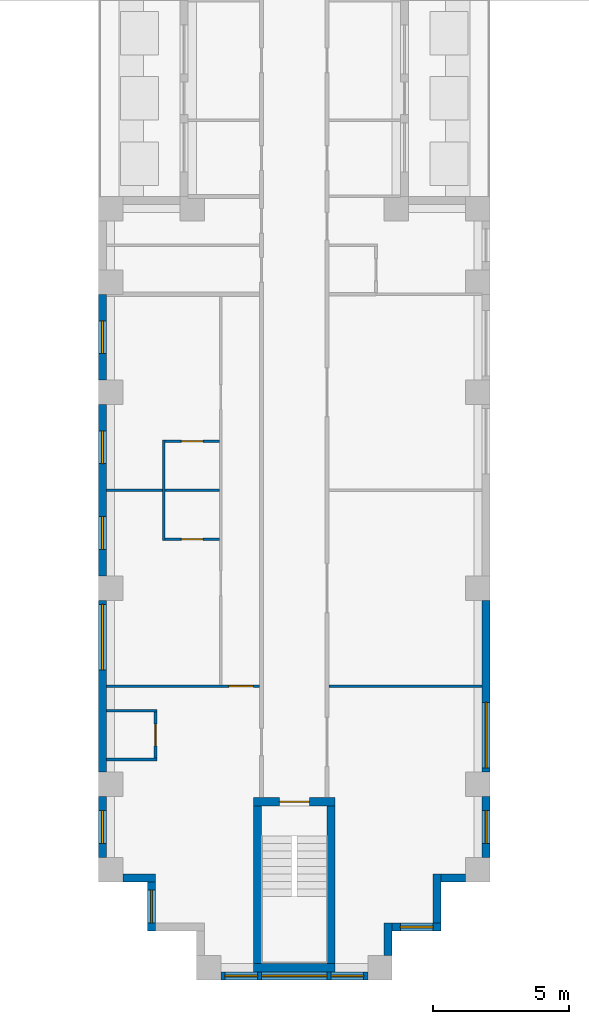
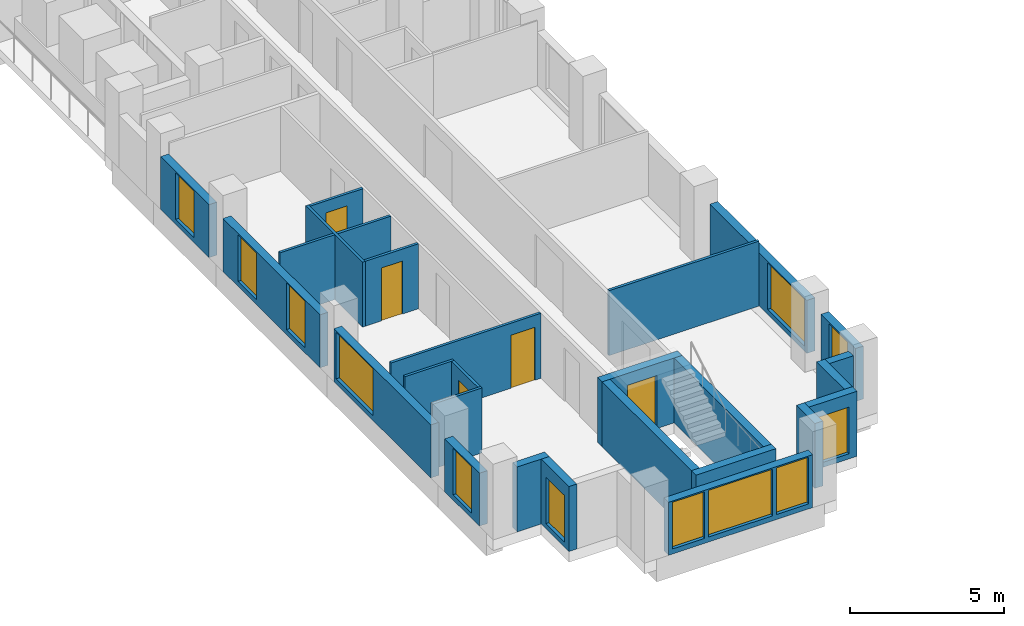
# One storey, part 3 of 13: 26 walls, 12 windows, 5 doors, 17 openings.
"""IFC4 building model written with IfcOpenShell, lengths in metres."""

from ifc_helpers import new_model, si_unit, direction, frame, frame_2d, origin, place, context, subcontext, project, spatial, rectangle, extrude, material, layer, layer_set, type_object, element, fill, save


model = new_model("IFC4")

# Units and contexts
model_context = context("Model", 3, precision=1e-05, world=origin(), true_north=direction((0.0, 1.0)))
body_context = subcontext(model_context, "Body", "Model", "MODEL_VIEW")
ifc_project = project(units=[si_unit("LENGTHUNIT", "METRE"), si_unit("AREAUNIT", "SQUARE_METRE"), si_unit("VOLUMEUNIT", "CUBIC_METRE"), si_unit("PLANEANGLEUNIT", "RADIAN"), si_unit("MASSUNIT", "GRAM", prefix="KILO")], contexts=[model_context])

# Site, building, storey
site_placement = place(None, origin())
site = spatial("IfcSite", under=ifc_project, at=site_placement, CompositionType="ELEMENT")
building_placement = place(site_placement, origin())
building = spatial("IfcBuilding", under=site, at=building_placement, Name="Fustian Cross Tower", CompositionType="ELEMENT")
storey_placement = place(building_placement, frame((0.0, 0.0, 75.89990234375)))
storey = spatial("IfcBuildingStorey", under=building, at=storey_placement, Name="L23", CompositionType="ELEMENT", Elevation=75.89990234375)

# Walls
ifc_material_1 = material(Name="Plasterboard on steel stud", Category="steel")
ifc_layer_1 = layer(ifc_material_1, 0.10009765625)
ifc_layer_set_1 = layer_set([ifc_layer_1], Name="Plasterboard on steel stud")
wall_type_1 = type_object("IfcWallType", Name="PARTITION 100 STUD", PredefinedType="PARTITIONING", material=ifc_layer_set_1)
for number, where, z_axis, x_axis, name in (
    (1, (-6.89990234375, -35.10009765625, 0.0), (0.0, 0.0, 1.0), (1.0, 0.0, 0.0), "Partition 13"),
    (2, (-6.89990234375, -33.300048828125, 0.0), (0.0, 0.0, 1.0), (1.0, 0.0, 0.0), "Partition 14"),
):
    element("IfcWall", number, at=place(storey_placement, frame(where, z_axis=z_axis, x_axis=x_axis)), inside=storey, type_object=wall_type_1, Name=name, PredefinedType="PARTITIONING", context=body_context, shape_type="SweptSolid", body=[
        extrude(rectangle(XDim=1.849853515625, YDim=0.10009765625, at=frame_2d((0.9248046875, 0.0))), origin(), (0.0, 0.0, 1.0), 2.5751953125),
    ])

# Wall, opening, door
wall_1_placement = place(storey_placement, frame((-6.89990234375, -32.39990234375, 0.0), z_axis=(0.0, 0.0, 1.0), x_axis=(1.0, 0.0, 0.0)))
wall_1 = element("IfcWall", 3, at=wall_1_placement, inside=storey, type_object=wall_type_1, Name="Partition 15", PredefinedType="PARTITIONING", context=body_context, shape_type="SweptSolid", body=[
    extrude(rectangle(XDim=5.625, YDim=0.10009765625, at=frame_2d((2.8125, 0.0))), origin(), (0.0, 0.0, 1.0), 2.5751953125),
])
opening_1_placement = place(wall_1_placement, frame((4.5, 0.0, 0.0)))
opening_1 = element("IfcOpeningElement", 4, at=opening_1_placement, cuts=wall_1, Name="Opening D12052", PredefinedType="OPENING", context=body_context, shape_type="SweptSolid", body=[
    extrude(rectangle(XDim=0.89990234375, YDim=2.10009765625, at=frame_2d((0.449951171875, 1.050048828125))), frame((0.0, 0.06005859375, 0.0), z_axis=(0.0, -1.0, 0.0), x_axis=(1.0, 0.0, 0.0)), (0.0, 0.0, 1.0), 0.1201171875),
])
ifc_material_2 = material(Name="Painted timber", Category="wood")
door_type_1 = type_object("IfcDoorType", Name="SWING DOOR 900", OperationType="SINGLE_SWING_LEFT", PredefinedType="DOOR", material=ifc_material_2)
door_1_placement = place(opening_1_placement, origin())
door_1 = element("IfcDoor", 5, at=door_1_placement, inside=storey, type_object=door_type_1, Name="Door D12052", OperationType="SINGLE_SWING_LEFT", OverallHeight=2.10009765625, OverallWidth=0.89990234375, PredefinedType="DOOR", context=body_context, shape_type="SweptSolid", body=[
    extrude(rectangle(XDim=0.89990234375, YDim=2.10009765625, at=frame_2d((0.449951171875, 1.050048828125))), frame((0.0, 0.02490234375, 0.0), z_axis=(0.0, -1.0, 0.0), x_axis=(1.0, 0.0, 0.0)), (0.0, 0.0, 1.0), 0.050048828125),
])
fill(opening_1, door_1)

# Wall
wall_2_placement = place(storey_placement, frame((-6.89990234375, -25.199951171875, 0.0), z_axis=(0.0, 0.0, 1.0), x_axis=(1.0, 0.0, 0.0)))
element("IfcWall", 6, at=wall_2_placement, inside=storey, type_object=wall_type_1, Name="Partition 16", PredefinedType="PARTITIONING", context=body_context, shape_type="SweptSolid", body=[
    extrude(rectangle(XDim=4.14990234375, YDim=0.10009765625, at=frame_2d((2.074951171875, 0.0))), origin(), (0.0, 0.0, 1.0), 2.5751953125),
])

# Wall, opening, door
wall_3_placement = place(storey_placement, frame((-5.10009765625, -35.050048828125, 0.0), z_axis=(0.0, 0.0, 1.0), x_axis=(0.0, 1.0, 0.0)))
wall_3 = element("IfcWall", 7, at=wall_3_placement, inside=storey, type_object=wall_type_1, Name="Partition 20", PredefinedType="PARTITIONING", context=body_context, shape_type="SweptSolid", body=[
    extrude(rectangle(XDim=1.699951171875, YDim=0.10009765625, at=frame_2d((0.85009765625, 0.0))), origin(), (0.0, 0.0, 1.0), 2.5751953125),
])
opening_2_placement = place(wall_3_placement, frame((0.449951171875, 0.0, 0.0)))
opening_2 = element("IfcOpeningElement", 8, at=opening_2_placement, cuts=wall_3, Name="Opening D12048", PredefinedType="OPENING", context=body_context, shape_type="SweptSolid", body=[
    extrude(rectangle(XDim=0.800048828125, YDim=2.10009765625, at=frame_2d((0.39990234375, 1.050048828125))), frame((0.0, 0.06005859375, 0.0), z_axis=(0.0, -1.0, 0.0), x_axis=(1.0, 0.0, 0.0)), (0.0, 0.0, 1.0), 0.1201171875),
])
ifc_material_3 = material(Name="Painted timber", Category="wood")
door_type_2 = type_object("IfcDoorType", Name="SWING DOOR 800", OperationType="SINGLE_SWING_LEFT", PredefinedType="DOOR", material=ifc_material_3)
door_2_placement = place(opening_2_placement, origin())
door_2 = element("IfcDoor", 9, at=door_2_placement, inside=storey, type_object=door_type_2, Name="Door D12048", OperationType="SINGLE_SWING_RIGHT", OverallHeight=2.10009765625, OverallWidth=0.800048828125, PredefinedType="DOOR", context=body_context, shape_type="SweptSolid", body=[
    extrude(rectangle(XDim=0.800048828125, YDim=2.10009765625, at=frame_2d((0.39990234375, 1.050048828125))), frame((0.0, 0.02490234375, 0.0), z_axis=(0.0, -1.0, 0.0), x_axis=(1.0, 0.0, 0.0)), (0.0, 0.0, 1.0), 0.050048828125),
])
fill(opening_2, door_2)

# Wall
wall_4_placement = place(storey_placement, frame((-4.800048828125, -27.050048828125, 0.0), z_axis=(0.0, 0.0, 1.0), x_axis=(0.0, 1.0, 0.0)))
element("IfcWall", 10, at=wall_4_placement, inside=storey, type_object=wall_type_1, Name="Partition 22", PredefinedType="PARTITIONING", context=body_context, shape_type="SweptSolid", body=[
    extrude(rectangle(XDim=3.699951171875, YDim=0.10009765625, at=frame_2d((1.85009765625, 0.0))), origin(), (0.0, 0.0, 1.0), 2.5751953125),
])

# Wall, opening, door
wall_5_placement = place(storey_placement, frame((-4.75, -27.0, 0.0), z_axis=(0.0, 0.0, 1.0), x_axis=(1.0, 0.0, 0.0)))
wall_5 = element("IfcWall", 11, at=wall_5_placement, inside=storey, type_object=wall_type_1, Name="Partition 23", PredefinedType="PARTITIONING", context=body_context, shape_type="SweptSolid", body=[
    extrude(rectangle(XDim=2.0, YDim=0.10009765625, at=frame_2d((1.0, 0.0))), origin(), (0.0, 0.0, 1.0), 2.5751953125),
])
opening_3_placement = place(wall_5_placement, frame((0.60009765625, 0.0, 0.0)))
opening_3 = element("IfcOpeningElement", 12, at=opening_3_placement, cuts=wall_5, Name="Opening D12054", PredefinedType="OPENING", context=body_context, shape_type="SweptSolid", body=[
    extrude(rectangle(XDim=0.800048828125, YDim=2.10009765625, at=frame_2d((0.39990234375, 1.050048828125))), frame((0.0, 0.06005859375, 0.0), z_axis=(0.0, -1.0, 0.0), x_axis=(1.0, 0.0, 0.0)), (0.0, 0.0, 1.0), 0.1201171875),
])
door_3_placement = place(opening_3_placement, origin())
door_3 = element("IfcDoor", 13, at=door_3_placement, inside=storey, type_object=door_type_2, Name="Door D12054", OperationType="SINGLE_SWING_LEFT", OverallHeight=2.10009765625, OverallWidth=0.800048828125, PredefinedType="DOOR", context=body_context, shape_type="SweptSolid", body=[
    extrude(rectangle(XDim=0.800048828125, YDim=2.10009765625, at=frame_2d((0.39990234375, 1.050048828125))), frame((0.0, 0.02490234375, 0.0), z_axis=(0.0, -1.0, 0.0), x_axis=(1.0, 0.0, 0.0)), (0.0, 0.0, 1.0), 0.050048828125),
])
fill(opening_3, door_3)

wall_6_placement = place(storey_placement, frame((-4.75, -23.39990234375, 0.0), z_axis=(0.0, 0.0, 1.0), x_axis=(1.0, 0.0, 0.0)))
wall_6 = element("IfcWall", 14, at=wall_6_placement, inside=storey, type_object=wall_type_1, Name="Partition 24", PredefinedType="PARTITIONING", context=body_context, shape_type="SweptSolid", body=[
    extrude(rectangle(XDim=2.0, YDim=0.10009765625, at=frame_2d((1.0, 0.0))), origin(), (0.0, 0.0, 1.0), 2.5751953125),
])
opening_4_placement = place(wall_6_placement, frame((0.60009765625, 0.0, 0.0)))
opening_4 = element("IfcOpeningElement", 15, at=opening_4_placement, cuts=wall_6, Name="Opening D12053", PredefinedType="OPENING", context=body_context, shape_type="SweptSolid", body=[
    extrude(rectangle(XDim=0.800048828125, YDim=2.10009765625, at=frame_2d((0.39990234375, 1.050048828125))), frame((0.0, 0.06005859375, 0.0), z_axis=(0.0, -1.0, 0.0), x_axis=(1.0, 0.0, 0.0)), (0.0, 0.0, 1.0), 0.1201171875),
])
door_4_placement = place(opening_4_placement, frame((0.800048828125, 0.0, 0.0), z_axis=(0.0, 0.0, 1.0), x_axis=(-1.0, 0.0, 0.0)))
door_4 = element("IfcDoor", 16, at=door_4_placement, inside=storey, type_object=door_type_2, Name="Door D12053", OperationType="SINGLE_SWING_RIGHT", OverallHeight=2.10009765625, OverallWidth=0.800048828125, PredefinedType="DOOR", context=body_context, shape_type="SweptSolid", body=[
    extrude(rectangle(XDim=0.800048828125, YDim=2.10009765625, at=frame_2d((0.39990234375, 1.050048828125))), frame((0.0, 0.02490234375, 0.0), z_axis=(0.0, -1.0, 0.0), x_axis=(1.0, 0.0, 0.0)), (0.0, 0.0, 1.0), 0.050048828125),
])
fill(opening_4, door_4)

# Wall
wall_7_placement = place(storey_placement, frame((1.27490234375, -32.39990234375, 0.0), z_axis=(0.0, 0.0, 1.0), x_axis=(1.0, 0.0, 0.0)))
element("IfcWall", 17, at=wall_7_placement, inside=storey, type_object=wall_type_1, Name="Partition 37", PredefinedType="PARTITIONING", context=body_context, shape_type="SweptSolid", body=[
    extrude(rectangle(XDim=5.625, YDim=0.10009765625, at=frame_2d((2.8125, 0.0))), origin(), (0.0, 0.0, 1.0), 2.5751953125),
])

# Wall, opening, door
ifc_material_4 = material(Name="Concrete C50/60", Category="concrete")
ifc_layer_2 = layer(ifc_material_4, 0.300048828125)
ifc_layer_set_2 = layer_set([ifc_layer_2], Name="Concrete C50/60")
wall_type_2 = type_object("IfcWallType", Name="STAIR ENCLOSURE WALL 300 C50/60", PredefinedType="SHEAR", material=ifc_layer_set_2)
wall_8_placement = place(storey_placement, frame((-1.5, -36.64990234375, 0.0), z_axis=(0.0, 0.0, 1.0), x_axis=(1.0, 0.0, 0.0)))
wall_8 = element("IfcWall", 18, at=wall_8_placement, inside=storey, type_object=wall_type_2, Name="Stair enclosure wall", PredefinedType="SHEAR", context=body_context, shape_type="SweptSolid", body=[
    extrude(rectangle(XDim=3.0, YDim=0.300048828125, at=frame_2d((1.5, 0.0))), origin(), (0.0, 0.0, 1.0), 2.5751953125),
])
opening_5_placement = place(wall_8_placement, frame((0.949951171875, 0.0, 0.0)))
opening_5 = element("IfcOpeningElement", 19, at=opening_5_placement, cuts=wall_8, Name="Opening CD-10-31", PredefinedType="OPENING", context=body_context, shape_type="SweptSolid", body=[
    extrude(rectangle(XDim=1.10009765625, YDim=2.10009765625, at=frame_2d((0.550048828125, 1.050048828125))), frame((0.0, 0.159912109375, 0.0), z_axis=(0.0, -1.0, 0.0), x_axis=(1.0, 0.0, 0.0)), (0.0, 0.0, 1.0), 0.320068359375),
])
ifc_material_5 = material(Name="Steel", Category="steel")
door_type_3 = type_object("IfcDoorType", Name="FIRE DOOR FD60S 1100X2100", OperationType="SINGLE_SWING_LEFT", PredefinedType="DOOR", material=ifc_material_5)
door_5_placement = place(opening_5_placement, frame((1.10009765625, 0.0, 0.0), z_axis=(0.0, 0.0, 1.0), x_axis=(-1.0, 0.0, 0.0)))
door_5 = element("IfcDoor", 20, at=door_5_placement, inside=storey, type_object=door_type_3, Name="Core door CD-10-31", OperationType="SINGLE_SWING_RIGHT", OverallHeight=2.10009765625, OverallWidth=1.10009765625, PredefinedType="DOOR", context=body_context, shape_type="SweptSolid", body=[
    extrude(rectangle(XDim=1.10009765625, YDim=2.10009765625, at=frame_2d((0.550048828125, 1.050048828125))), frame((0.0, 0.02490234375, 0.0), z_axis=(0.0, -1.0, 0.0), x_axis=(1.0, 0.0, 0.0)), (0.0, 0.0, 1.0), 0.050048828125),
])
fill(opening_5, door_5)

# Walls
wall_9_placement = place(storey_placement, frame((-1.5, -42.75, 0.0), z_axis=(0.0, 0.0, 1.0), x_axis=(1.0, 0.0, 0.0)))
element("IfcWall", 21, at=wall_9_placement, inside=storey, type_object=wall_type_2, Name="Stair enclosure wall", PredefinedType="SHEAR", context=body_context, shape_type="SweptSolid", body=[
    extrude(rectangle(XDim=3.0, YDim=0.300048828125, at=frame_2d((1.5, 0.0))), origin(), (0.0, 0.0, 1.0), 2.5751953125),
])
for number, where, z_axis, x_axis, name in (
    (22, (-1.35009765625, -36.800048828125, 0.0), (0.0, 0.0, 1.0), (0.0, -1.0, 0.0), "Stair enclosure wall"),
    (23, (1.35009765625, -36.800048828125, 0.0), (0.0, 0.0, 1.0), (0.0, -1.0, 0.0), "Stair enclosure wall"),
):
    element("IfcWall", number, at=place(storey_placement, frame(where, z_axis=z_axis, x_axis=x_axis)), inside=storey, type_object=wall_type_2, Name=name, PredefinedType="SHEAR", context=body_context, shape_type="SweptSolid", body=[
        extrude(rectangle(XDim=5.800048828125, YDim=0.300048828125, at=frame_2d((2.89990234375, 0.0))), origin(), (0.0, 0.0, 1.0), 2.5751953125),
    ])

# Wall, opening, window
ifc_material_6 = material(Name="Dark aluminium cladding on insulated backing wall", Category="aluminium")
ifc_layer_3 = layer(ifc_material_6, 0.300048828125)
ifc_layer_set_3 = layer_set([ifc_layer_3], Name="Dark aluminium cladding on insulated backing wall")
wall_type_3 = type_object("IfcWallType", Name="XW1 EXTERNAL WALL 300", PredefinedType="SOLIDWALL", material=ifc_layer_set_3)
wall_10_placement = place(storey_placement, frame((-7.050048828125, -18.0, 0.0), z_axis=(0.0, 0.0, 1.0), x_axis=(0.0, -1.0, 0.0)))
wall_10 = element("IfcWall", 24, at=wall_10_placement, inside=storey, type_object=wall_type_3, Name="External wall", PredefinedType="SOLIDWALL", context=body_context, shape_type="SweptSolid", body=[
    extrude(rectangle(XDim=3.14990234375, YDim=0.300048828125, at=frame_2d((1.574951171875, 0.0))), origin(), (0.0, 0.0, 1.0), 2.10009765625),
])
opening_6_placement = place(wall_10_placement, frame((0.97509765625, 0.0, 0.199951171875)))
opening_6 = element("IfcOpeningElement", 25, at=opening_6_placement, cuts=wall_10, Name="Opening WN3", PredefinedType="OPENING", context=body_context, shape_type="SweptSolid", body=[
    extrude(rectangle(XDim=1.199951171875, YDim=1.85009765625, at=frame_2d((0.60009765625, 0.925048828125))), frame((0.0, 0.159912109375, 0.0), z_axis=(0.0, -1.0, 0.0), x_axis=(1.0, 0.0, 0.0)), (0.0, 0.0, 1.0), 0.320068359375),
])
ifc_material_7 = material(Name="Dark anodised aluminium and double glazing", Category="aluminium")
window_type_1 = type_object("IfcWindowType", Name="WN3 WINDOW 1200X1850", PartitioningType="SINGLE_PANEL", PredefinedType="WINDOW", material=ifc_material_7)
window_1_placement = place(opening_6_placement, origin())
window_1 = element("IfcWindow", 26, at=window_1_placement, inside=storey, type_object=window_type_1, Name="Window", OverallHeight=1.85009765625, OverallWidth=1.199951171875, PartitioningType="SINGLE_PANEL", PredefinedType="WINDOW", context=body_context, shape_type="SweptSolid", body=[
    extrude(rectangle(XDim=1.199951171875, YDim=1.85009765625, at=frame_2d((0.60009765625, 0.925048828125))), frame((0.0, 0.030029296875, 0.0), z_axis=(0.0, -1.0, 0.0), x_axis=(1.0, 0.0, 0.0)), (0.0, 0.0, 1.0), 0.06005859375),
])
fill(opening_6, window_1)

# Wall, openings, windows
wall_11_placement = place(storey_placement, frame((-7.050048828125, -22.050048828125, 0.0), z_axis=(0.0, 0.0, 1.0), x_axis=(0.0, -1.0, 0.0)))
wall_11 = element("IfcWall", 27, at=wall_11_placement, inside=storey, type_object=wall_type_3, Name="External wall", PredefinedType="SOLIDWALL", context=body_context, shape_type="SweptSolid", body=[
    extrude(rectangle(XDim=6.300048828125, YDim=0.300048828125, at=frame_2d((3.14990234375, 0.0))), origin(), (0.0, 0.0, 1.0), 2.10009765625),
])
opening_7_placement = place(wall_11_placement, frame((0.97509765625, 0.0, 0.199951171875)))
opening_7 = element("IfcOpeningElement", 28, at=opening_7_placement, cuts=wall_11, Name="Opening WN3", PredefinedType="OPENING", context=body_context, shape_type="SweptSolid", body=[
    extrude(rectangle(XDim=1.199951171875, YDim=1.85009765625, at=frame_2d((0.60009765625, 0.925048828125))), frame((0.0, 0.159912109375, 0.0), z_axis=(0.0, -1.0, 0.0), x_axis=(1.0, 0.0, 0.0)), (0.0, 0.0, 1.0), 0.320068359375),
])
opening_8_placement = place(wall_11_placement, frame((4.125, 0.0, 0.199951171875)))
opening_8 = element("IfcOpeningElement", 29, at=opening_8_placement, cuts=wall_11, Name="Opening WN3", PredefinedType="OPENING", context=body_context, shape_type="SweptSolid", body=[
    extrude(rectangle(XDim=1.199951171875, YDim=1.85009765625, at=frame_2d((0.60009765625, 0.925048828125))), frame((0.0, 0.159912109375, 0.0), z_axis=(0.0, -1.0, 0.0), x_axis=(1.0, 0.0, 0.0)), (0.0, 0.0, 1.0), 0.320068359375),
])
window_2_placement = place(opening_7_placement, origin())
window_2 = element("IfcWindow", 30, at=window_2_placement, inside=storey, type_object=window_type_1, Name="Window", OverallHeight=1.85009765625, OverallWidth=1.199951171875, PartitioningType="SINGLE_PANEL", PredefinedType="WINDOW", context=body_context, shape_type="SweptSolid", body=[
    extrude(rectangle(XDim=1.199951171875, YDim=1.85009765625, at=frame_2d((0.60009765625, 0.925048828125))), frame((0.0, 0.030029296875, 0.0), z_axis=(0.0, -1.0, 0.0), x_axis=(1.0, 0.0, 0.0)), (0.0, 0.0, 1.0), 0.06005859375),
])
fill(opening_7, window_2)
window_3_placement = place(opening_8_placement, origin())
window_3 = element("IfcWindow", 31, at=window_3_placement, inside=storey, type_object=window_type_1, Name="Window", OverallHeight=1.85009765625, OverallWidth=1.199951171875, PartitioningType="SINGLE_PANEL", PredefinedType="WINDOW", context=body_context, shape_type="SweptSolid", body=[
    extrude(rectangle(XDim=1.199951171875, YDim=1.85009765625, at=frame_2d((0.60009765625, 0.925048828125))), frame((0.0, 0.030029296875, 0.0), z_axis=(0.0, -1.0, 0.0), x_axis=(1.0, 0.0, 0.0)), (0.0, 0.0, 1.0), 0.06005859375),
])
fill(opening_8, window_3)

# Wall, opening, window
wall_12_placement = place(storey_placement, frame((-7.050048828125, -29.25, 0.0), z_axis=(0.0, 0.0, 1.0), x_axis=(0.0, -1.0, 0.0)))
wall_12 = element("IfcWall", 32, at=wall_12_placement, inside=storey, type_object=wall_type_3, Name="External wall", PredefinedType="SOLIDWALL", context=body_context, shape_type="SweptSolid", body=[
    extrude(rectangle(XDim=6.300048828125, YDim=0.300048828125, at=frame_2d((3.14990234375, 0.0))), origin(), (0.0, 0.0, 1.0), 2.10009765625),
])
opening_9_placement = place(wall_12_placement, frame((0.14990234375, 0.0, 0.199951171875)))
opening_9 = element("IfcOpeningElement", 33, at=opening_9_placement, cuts=wall_12, Name="Opening WN1", PredefinedType="OPENING", context=body_context, shape_type="SweptSolid", body=[
    extrude(rectangle(XDim=2.39990234375, YDim=1.85009765625, at=frame_2d((1.199951171875, 0.925048828125))), frame((0.0, 0.159912109375, 0.0), z_axis=(0.0, -1.0, 0.0), x_axis=(1.0, 0.0, 0.0)), (0.0, 0.0, 1.0), 0.320068359375),
])
ifc_material_8 = material(Name="Dark anodised aluminium and double glazing", Category="aluminium")
window_type_2 = type_object("IfcWindowType", Name="WN1 WINDOW 2400X1850", PartitioningType="SINGLE_PANEL", PredefinedType="WINDOW", material=ifc_material_8)
window_4_placement = place(opening_9_placement, origin())
window_4 = element("IfcWindow", 34, at=window_4_placement, inside=storey, type_object=window_type_2, Name="Window", OverallHeight=1.85009765625, OverallWidth=2.39990234375, PartitioningType="SINGLE_PANEL", PredefinedType="WINDOW", context=body_context, shape_type="SweptSolid", body=[
    extrude(rectangle(XDim=2.39990234375, YDim=1.85009765625, at=frame_2d((1.199951171875, 0.925048828125))), frame((0.0, 0.030029296875, 0.0), z_axis=(0.0, -1.0, 0.0), x_axis=(1.0, 0.0, 0.0)), (0.0, 0.0, 1.0), 0.06005859375),
])
fill(opening_9, window_4)

wall_13_placement = place(storey_placement, frame((-7.050048828125, -36.449951171875, 0.0), z_axis=(0.0, 0.0, 1.0), x_axis=(0.0, -1.0, 0.0)))
wall_13 = element("IfcWall", 35, at=wall_13_placement, inside=storey, type_object=wall_type_3, Name="External wall", PredefinedType="SOLIDWALL", context=body_context, shape_type="SweptSolid", body=[
    extrude(rectangle(XDim=2.25, YDim=0.300048828125, at=frame_2d((1.125, 0.0))), origin(), (0.0, 0.0, 1.0), 2.10009765625),
])
opening_10_placement = place(wall_13_placement, frame((0.52490234375, 0.0, 0.199951171875)))
opening_10 = element("IfcOpeningElement", 36, at=opening_10_placement, cuts=wall_13, Name="Opening WN3", PredefinedType="OPENING", context=body_context, shape_type="SweptSolid", body=[
    extrude(rectangle(XDim=1.199951171875, YDim=1.85009765625, at=frame_2d((0.60009765625, 0.925048828125))), frame((0.0, 0.159912109375, 0.0), z_axis=(0.0, -1.0, 0.0), x_axis=(1.0, 0.0, 0.0)), (0.0, 0.0, 1.0), 0.320068359375),
])
window_5_placement = place(opening_10_placement, origin())
window_5 = element("IfcWindow", 37, at=window_5_placement, inside=storey, type_object=window_type_1, Name="Window", OverallHeight=1.85009765625, OverallWidth=1.199951171875, PartitioningType="SINGLE_PANEL", PredefinedType="WINDOW", context=body_context, shape_type="SweptSolid", body=[
    extrude(rectangle(XDim=1.199951171875, YDim=1.85009765625, at=frame_2d((0.60009765625, 0.925048828125))), frame((0.0, 0.030029296875, 0.0), z_axis=(0.0, -1.0, 0.0), x_axis=(1.0, 0.0, 0.0)), (0.0, 0.0, 1.0), 0.06005859375),
])
fill(opening_10, window_5)

# Wall
wall_14_placement = place(storey_placement, frame((-6.300048828125, -39.449951171875, 0.0), z_axis=(0.0, 0.0, 1.0), x_axis=(1.0, 0.0, 0.0)))
element("IfcWall", 38, at=wall_14_placement, inside=storey, type_object=wall_type_3, Name="External wall", PredefinedType="SOLIDWALL", context=body_context, shape_type="SweptSolid", body=[
    extrude(rectangle(XDim=1.199951171875, YDim=0.300048828125, at=frame_2d((0.60009765625, 0.0))), origin(), (0.0, 0.0, 1.0), 2.5751953125),
])

# Wall, opening, window
wall_15_placement = place(storey_placement, frame((-5.25, -39.60009765625, 0.0), z_axis=(0.0, 0.0, 1.0), x_axis=(0.0, -1.0, 0.0)))
wall_15 = element("IfcWall", 39, at=wall_15_placement, inside=storey, type_object=wall_type_3, Name="External wall", PredefinedType="SOLIDWALL", context=body_context, shape_type="SweptSolid", body=[
    extrude(rectangle(XDim=1.7998046875, YDim=0.300048828125, at=frame_2d((0.89990234375, 0.0))), origin(), (0.0, 0.0, 1.0), 2.5751953125),
])
opening_11_placement = place(wall_15_placement, frame((0.300048828125, 0.0, 0.199951171875)))
opening_11 = element("IfcOpeningElement", 40, at=opening_11_placement, cuts=wall_15, Name="Opening WN3", PredefinedType="OPENING", context=body_context, shape_type="SweptSolid", body=[
    extrude(rectangle(XDim=1.199951171875, YDim=1.85009765625, at=frame_2d((0.60009765625, 0.925048828125))), frame((0.0, 0.159912109375, 0.0), z_axis=(0.0, -1.0, 0.0), x_axis=(1.0, 0.0, 0.0)), (0.0, 0.0, 1.0), 0.320068359375),
])
window_6_placement = place(opening_11_placement, origin())
window_6 = element("IfcWindow", 41, at=window_6_placement, inside=storey, type_object=window_type_1, Name="Window", OverallHeight=1.85009765625, OverallWidth=1.199951171875, PartitioningType="SINGLE_PANEL", PredefinedType="WINDOW", context=body_context, shape_type="SweptSolid", body=[
    extrude(rectangle(XDim=1.199951171875, YDim=1.85009765625, at=frame_2d((0.60009765625, 0.925048828125))), frame((0.0, 0.030029296875, 0.0), z_axis=(0.0, -1.0, 0.0), x_axis=(1.0, 0.0, 0.0)), (0.0, 0.0, 1.0), 0.06005859375),
])
fill(opening_11, window_6)

# Wall, openings, windows
wall_16_placement = place(storey_placement, frame((-2.699951171875, -43.050048828125, 0.0), z_axis=(0.0, 0.0, 1.0), x_axis=(1.0, 0.0, 0.0)))
wall_16 = element("IfcWall", 42, at=wall_16_placement, inside=storey, type_object=wall_type_3, Name="External wall", PredefinedType="SOLIDWALL", context=body_context, shape_type="SweptSolid", body=[
    extrude(rectangle(XDim=5.39990234375, YDim=0.300048828125, at=frame_2d((2.699951171875, 0.0))), origin(), (0.0, 0.0, 1.0), 2.10009765625),
])
opening_12_placement = place(wall_16_placement, frame((1.5, 0.0, 0.199951171875)))
opening_12 = element("IfcOpeningElement", 43, at=opening_12_placement, cuts=wall_16, Name="Opening WN1", PredefinedType="OPENING", context=body_context, shape_type="SweptSolid", body=[
    extrude(rectangle(XDim=2.39990234375, YDim=1.85009765625, at=frame_2d((1.199951171875, 0.925048828125))), frame((0.0, 0.159912109375, 0.0), z_axis=(0.0, -1.0, 0.0), x_axis=(1.0, 0.0, 0.0)), (0.0, 0.0, 1.0), 0.320068359375),
])
opening_13_placement = place(wall_16_placement, frame((0.14990234375, 0.0, 0.199951171875)))
opening_13 = element("IfcOpeningElement", 44, at=opening_13_placement, cuts=wall_16, Name="Opening WN3", PredefinedType="OPENING", context=body_context, shape_type="SweptSolid", body=[
    extrude(rectangle(XDim=1.199951171875, YDim=1.85009765625, at=frame_2d((0.60009765625, 0.925048828125))), frame((0.0, 0.159912109375, 0.0), z_axis=(0.0, -1.0, 0.0), x_axis=(1.0, 0.0, 0.0)), (0.0, 0.0, 1.0), 0.320068359375),
])
opening_14_placement = place(wall_16_placement, frame((4.050048828125, 0.0, 0.199951171875)))
opening_14 = element("IfcOpeningElement", 45, at=opening_14_placement, cuts=wall_16, Name="Opening WN3", PredefinedType="OPENING", context=body_context, shape_type="SweptSolid", body=[
    extrude(rectangle(XDim=1.199951171875, YDim=1.85009765625, at=frame_2d((0.60009765625, 0.925048828125))), frame((0.0, 0.159912109375, 0.0), z_axis=(0.0, -1.0, 0.0), x_axis=(1.0, 0.0, 0.0)), (0.0, 0.0, 1.0), 0.320068359375),
])
window_7_placement = place(opening_12_placement, origin())
window_7 = element("IfcWindow", 46, at=window_7_placement, inside=storey, type_object=window_type_2, Name="Window", OverallHeight=1.85009765625, OverallWidth=2.39990234375, PartitioningType="SINGLE_PANEL", PredefinedType="WINDOW", context=body_context, shape_type="SweptSolid", body=[
    extrude(rectangle(XDim=2.39990234375, YDim=1.85009765625, at=frame_2d((1.199951171875, 0.925048828125))), frame((0.0, 0.030029296875, 0.0), z_axis=(0.0, -1.0, 0.0), x_axis=(1.0, 0.0, 0.0)), (0.0, 0.0, 1.0), 0.06005859375),
])
fill(opening_12, window_7)
window_8_placement = place(opening_13_placement, origin())
window_8 = element("IfcWindow", 47, at=window_8_placement, inside=storey, type_object=window_type_1, Name="Window", OverallHeight=1.85009765625, OverallWidth=1.199951171875, PartitioningType="SINGLE_PANEL", PredefinedType="WINDOW", context=body_context, shape_type="SweptSolid", body=[
    extrude(rectangle(XDim=1.199951171875, YDim=1.85009765625, at=frame_2d((0.60009765625, 0.925048828125))), frame((0.0, 0.030029296875, 0.0), z_axis=(0.0, -1.0, 0.0), x_axis=(1.0, 0.0, 0.0)), (0.0, 0.0, 1.0), 0.06005859375),
])
fill(opening_13, window_8)
window_9_placement = place(opening_14_placement, origin())
window_9 = element("IfcWindow", 48, at=window_9_placement, inside=storey, type_object=window_type_1, Name="Window", OverallHeight=1.85009765625, OverallWidth=1.199951171875, PartitioningType="SINGLE_PANEL", PredefinedType="WINDOW", context=body_context, shape_type="SweptSolid", body=[
    extrude(rectangle(XDim=1.199951171875, YDim=1.85009765625, at=frame_2d((0.60009765625, 0.925048828125))), frame((0.0, 0.030029296875, 0.0), z_axis=(0.0, -1.0, 0.0), x_axis=(1.0, 0.0, 0.0)), (0.0, 0.0, 1.0), 0.06005859375),
])
fill(opening_14, window_9)

# Wall
wall_17_placement = place(storey_placement, frame((3.449951171875, -42.300048828125, 0.0), z_axis=(0.0, 0.0, 1.0), x_axis=(0.0, 1.0, 0.0)))
element("IfcWall", 49, at=wall_17_placement, inside=storey, type_object=wall_type_3, Name="External wall", PredefinedType="SOLIDWALL", context=body_context, shape_type="SweptSolid", body=[
    extrude(rectangle(XDim=1.199951171875, YDim=0.300048828125, at=frame_2d((0.60009765625, 0.0))), origin(), (0.0, 0.0, 1.0), 2.5751953125),
])

# Wall, opening, window
wall_18_placement = place(storey_placement, frame((3.60009765625, -41.25, 0.0), z_axis=(0.0, 0.0, 1.0), x_axis=(1.0, 0.0, 0.0)))
wall_18 = element("IfcWall", 50, at=wall_18_placement, inside=storey, type_object=wall_type_3, Name="External wall", PredefinedType="SOLIDWALL", context=body_context, shape_type="SweptSolid", body=[
    extrude(rectangle(XDim=1.7998046875, YDim=0.300048828125, at=frame_2d((0.89990234375, 0.0))), origin(), (0.0, 0.0, 1.0), 2.5751953125),
])
opening_15_placement = place(wall_18_placement, frame((0.300048828125, 0.0, 0.199951171875)))
opening_15 = element("IfcOpeningElement", 51, at=opening_15_placement, cuts=wall_18, Name="Opening WN3", PredefinedType="OPENING", context=body_context, shape_type="SweptSolid", body=[
    extrude(rectangle(XDim=1.199951171875, YDim=1.85009765625, at=frame_2d((0.60009765625, 0.925048828125))), frame((0.0, 0.159912109375, 0.0), z_axis=(0.0, -1.0, 0.0), x_axis=(1.0, 0.0, 0.0)), (0.0, 0.0, 1.0), 0.320068359375),
])
window_10_placement = place(opening_15_placement, origin())
window_10 = element("IfcWindow", 52, at=window_10_placement, inside=storey, type_object=window_type_1, Name="Window", OverallHeight=1.85009765625, OverallWidth=1.199951171875, PartitioningType="SINGLE_PANEL", PredefinedType="WINDOW", context=body_context, shape_type="SweptSolid", body=[
    extrude(rectangle(XDim=1.199951171875, YDim=1.85009765625, at=frame_2d((0.60009765625, 0.925048828125))), frame((0.0, 0.030029296875, 0.0), z_axis=(0.0, -1.0, 0.0), x_axis=(1.0, 0.0, 0.0)), (0.0, 0.0, 1.0), 0.06005859375),
])
fill(opening_15, window_10)

# Walls
wall_19_placement = place(storey_placement, frame((5.25, -41.10009765625, 0.0), z_axis=(0.0, 0.0, 1.0), x_axis=(0.0, 1.0, 0.0)))
element("IfcWall", 53, at=wall_19_placement, inside=storey, type_object=wall_type_3, Name="External wall", PredefinedType="SOLIDWALL", context=body_context, shape_type="SweptSolid", body=[
    extrude(rectangle(XDim=1.800048828125, YDim=0.300048828125, at=frame_2d((0.89990234375, 0.0))), origin(), (0.0, 0.0, 1.0), 2.5751953125),
])
wall_20_placement = place(storey_placement, frame((5.39990234375, -39.449951171875, 0.0), z_axis=(0.0, 0.0, 1.0), x_axis=(1.0, 0.0, 0.0)))
element("IfcWall", 54, at=wall_20_placement, inside=storey, type_object=wall_type_3, Name="External wall", PredefinedType="SOLIDWALL", context=body_context, shape_type="SweptSolid", body=[
    extrude(rectangle(XDim=0.900146484375, YDim=0.300048828125, at=frame_2d((0.4501953125, 0.0))), origin(), (0.0, 0.0, 1.0), 2.5751953125),
])

# Wall, opening, window
wall_21_placement = place(storey_placement, frame((7.050048828125, -38.699951171875, 0.0), z_axis=(0.0, 0.0, 1.0), x_axis=(0.0, 1.0, 0.0)))
wall_21 = element("IfcWall", 55, at=wall_21_placement, inside=storey, type_object=wall_type_3, Name="External wall", PredefinedType="SOLIDWALL", context=body_context, shape_type="SweptSolid", body=[
    extrude(rectangle(XDim=2.25, YDim=0.300048828125, at=frame_2d((1.125, 0.0))), origin(), (0.0, 0.0, 1.0), 2.10009765625),
])
opening_16_placement = place(wall_21_placement, frame((0.52490234375, 0.0, 0.199951171875)))
opening_16 = element("IfcOpeningElement", 56, at=opening_16_placement, cuts=wall_21, Name="Opening WN3", PredefinedType="OPENING", context=body_context, shape_type="SweptSolid", body=[
    extrude(rectangle(XDim=1.199951171875, YDim=1.85009765625, at=frame_2d((0.60009765625, 0.925048828125))), frame((0.0, 0.159912109375, 0.0), z_axis=(0.0, -1.0, 0.0), x_axis=(1.0, 0.0, 0.0)), (0.0, 0.0, 1.0), 0.320068359375),
])
window_11_placement = place(opening_16_placement, origin())
window_11 = element("IfcWindow", 57, at=window_11_placement, inside=storey, type_object=window_type_1, Name="Window", OverallHeight=1.85009765625, OverallWidth=1.199951171875, PartitioningType="SINGLE_PANEL", PredefinedType="WINDOW", context=body_context, shape_type="SweptSolid", body=[
    extrude(rectangle(XDim=1.199951171875, YDim=1.85009765625, at=frame_2d((0.60009765625, 0.925048828125))), frame((0.0, 0.030029296875, 0.0), z_axis=(0.0, -1.0, 0.0), x_axis=(1.0, 0.0, 0.0)), (0.0, 0.0, 1.0), 0.06005859375),
])
fill(opening_16, window_11)

wall_22_placement = place(storey_placement, frame((7.050048828125, -35.550048828125, 0.0), z_axis=(0.0, 0.0, 1.0), x_axis=(0.0, 1.0, 0.0)))
wall_22 = element("IfcWall", 58, at=wall_22_placement, inside=storey, type_object=wall_type_3, Name="External wall", PredefinedType="SOLIDWALL", context=body_context, shape_type="SweptSolid", body=[
    extrude(rectangle(XDim=6.300048828125, YDim=0.300048828125, at=frame_2d((3.14990234375, 0.0))), origin(), (0.0, 0.0, 1.0), 2.10009765625),
])
opening_17_placement = place(wall_22_placement, frame((0.14990234375, 0.0, 0.199951171875)))
opening_17 = element("IfcOpeningElement", 59, at=opening_17_placement, cuts=wall_22, Name="Opening WN1", PredefinedType="OPENING", context=body_context, shape_type="SweptSolid", body=[
    extrude(rectangle(XDim=2.39990234375, YDim=1.85009765625, at=frame_2d((1.199951171875, 0.925048828125))), frame((0.0, 0.159912109375, 0.0), z_axis=(0.0, -1.0, 0.0), x_axis=(1.0, 0.0, 0.0)), (0.0, 0.0, 1.0), 0.320068359375),
])
window_12_placement = place(opening_17_placement, origin())
window_12 = element("IfcWindow", 60, at=window_12_placement, inside=storey, type_object=window_type_2, Name="Window", OverallHeight=1.85009765625, OverallWidth=2.39990234375, PartitioningType="SINGLE_PANEL", PredefinedType="WINDOW", context=body_context, shape_type="SweptSolid", body=[
    extrude(rectangle(XDim=2.39990234375, YDim=1.85009765625, at=frame_2d((1.199951171875, 0.925048828125))), frame((0.0, 0.030029296875, 0.0), z_axis=(0.0, -1.0, 0.0), x_axis=(1.0, 0.0, 0.0)), (0.0, 0.0, 1.0), 0.06005859375),
])
fill(opening_17, window_12)

save(model, "model.ifc")
